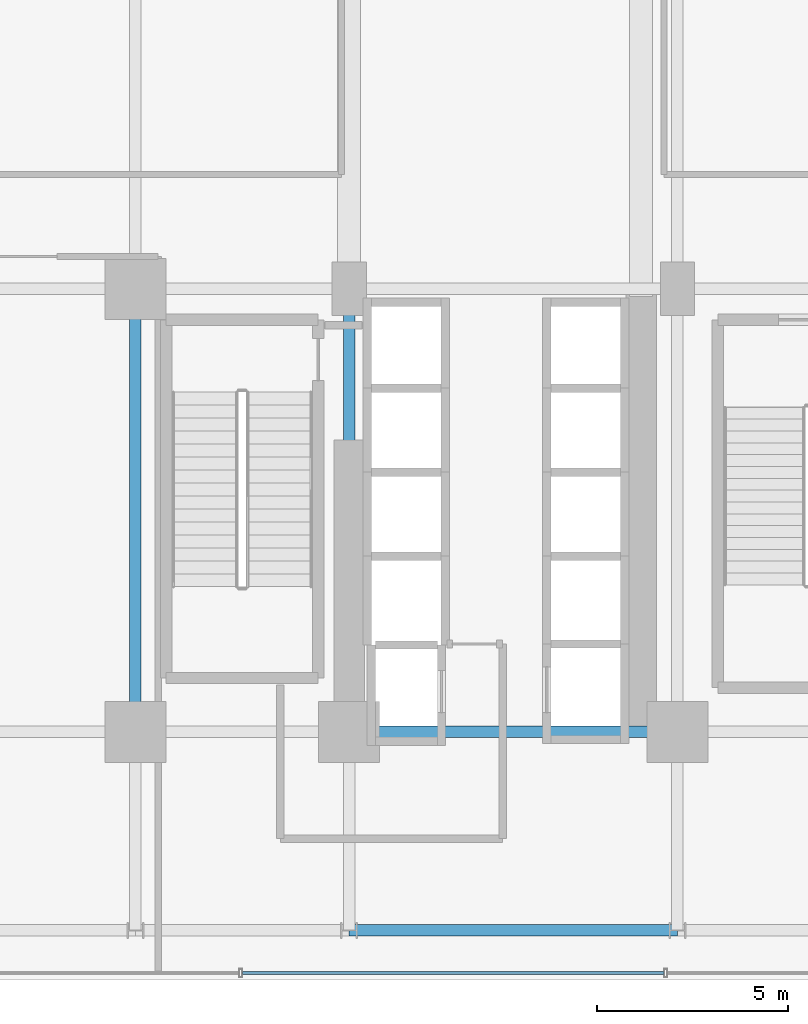
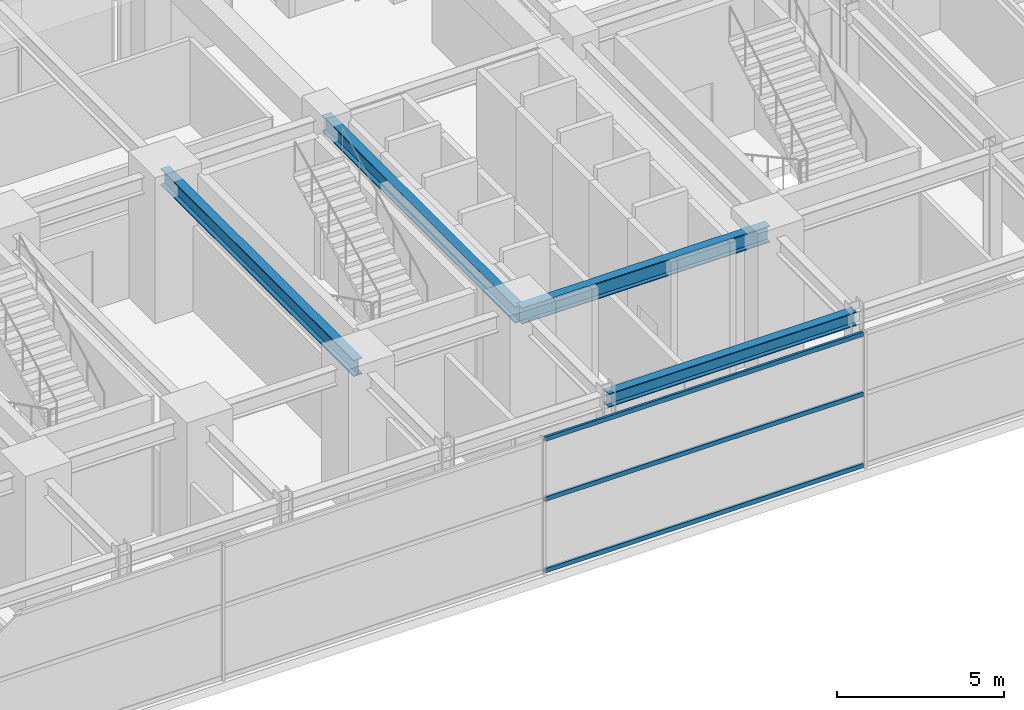
# One storey, part 13 of 35: 4 beams, 3 members, 1 element without a shape of its own.
"""IFC4 building model written with IfcOpenShell, lengths in metres."""

from ifc_helpers import new_model, si_unit, direction, frame, origin, origin_2d, place, context, subcontext, project, spatial, hollow_rectangle, i_section, extrude, source, transform, mapped, material, material_profile, profile_set, type_object, element, aggregate, save


model = new_model("IFC4")

# Units and contexts
model_context = context("Model", 3, precision=1e-05, world=origin(), true_north=direction((0.0, 1.0)))
body_context = subcontext(model_context, "Body", "Model", "MODEL_VIEW")
ifc_project = project(units=[si_unit("LENGTHUNIT", "METRE"), si_unit("AREAUNIT", "SQUARE_METRE"), si_unit("VOLUMEUNIT", "CUBIC_METRE"), si_unit("PLANEANGLEUNIT", "RADIAN"), si_unit("MASSUNIT", "GRAM", prefix="KILO")], contexts=[model_context])

# Site, building, storey
site_placement = place(None, origin())
site = spatial("IfcSite", under=ifc_project, at=site_placement, CompositionType="ELEMENT")
building_placement = place(site_placement, origin())
building = spatial("IfcBuilding", under=site, at=building_placement, Name="Nahalor Promenade Grand Hotel", CompositionType="ELEMENT")
storey_placement = place(building_placement, frame((0.0, 0.0, 21.60009765625)))
storey = spatial("IfcBuildingStorey", under=building, at=storey_placement, Name="L04", CompositionType="ELEMENT", Elevation=21.60009765625)

# Beams
ifc_material_1 = material(Name="Steel S355JR", Category="steel")
ifc_material_profile_1 = material_profile(ifc_material_1, i_section(OverallWidth=0.3, OverallDepth=0.6, WebThickness=0.0155, FlangeThickness=0.03, at=origin_2d()), Name="HEB 600")
ifc_profile_set_1 = profile_set([ifc_material_profile_1], Name="Steel S355JR")
beam_type_1 = type_object("IfcBeamType", Name="Beam-Girder-HEB600", PredefinedType="BEAM", material=ifc_profile_set_1)
shared_shape_1 = source(origin(), body_context, "Body", "SweptSolid", [
    extrude(i_section(OverallWidth=0.3, OverallDepth=0.6, WebThickness=0.0155, FlangeThickness=0.03, at=origin_2d()), origin(), (0.0, 0.0, 1.0), 8.60009765625),
])
beam_1_placement = place(storey_placement, frame((8.39990234375, -17.0, 4.679931640625), z_axis=(1.0, 0.0, 0.0), x_axis=(0.0, 1.0, 0.0)))
element("IfcBeam", 1, at=beam_1_placement, inside=storey, type_object=beam_type_1, Name="BM-L04-GX-0-6", PredefinedType="BEAM", context=body_context, shape_type="MappedRepresentation", body=[
    mapped(shared_shape_1, transform((0.0, 0.0, 0.0), scale=1.0)),
])
shared_shape_2 = source(origin(), body_context, "Body", "SweptSolid", [
    extrude(i_section(OverallWidth=0.3, OverallDepth=0.6, WebThickness=0.0155, FlangeThickness=0.03, at=origin_2d()), origin(), (0.0, 0.0, 1.0), 11.60009765625),
])
for number, where, z_axis, x_axis, name in (
    (2, (2.800048828125, -17.0, 4.679931640625), (0.0, 1.0, 0.0), (-1.0, 0.0, 0.0), "BM-L04-GY-3-1"),
    (3, (8.39990234375, -17.0, 4.679931640625), (0.0, 1.0, 0.0), (-1.0, 0.0, 0.0), "BM-L04-GY-4-1"),
):
    element("IfcBeam", number, at=place(storey_placement, frame(where, z_axis=z_axis, x_axis=x_axis)), inside=storey, type_object=beam_type_1, Name=name, PredefinedType="BEAM", context=body_context, shape_type="MappedRepresentation", body=[
        mapped(shared_shape_2, transform((0.0, 0.0, 0.0), scale=1.0)),
    ])
ifc_material_profile_2 = material_profile(ifc_material_1, i_section(OverallWidth=0.3, OverallDepth=0.5, WebThickness=0.0145, FlangeThickness=0.028, at=origin_2d()), Name="HEB 500")
ifc_profile_set_2 = profile_set([ifc_material_profile_2], Name="Steel S355JR")
beam_type_2 = type_object("IfcBeamType", Name="Beam-Spandrel-HEB500", PredefinedType="SPANDREL", material=ifc_profile_set_2)
shared_shape_3 = source(origin(), body_context, "Body", "SweptSolid", [
    extrude(i_section(OverallWidth=0.3, OverallDepth=0.5, WebThickness=0.0145, FlangeThickness=0.028, at=origin_2d()), origin(), (0.0, 0.0, 1.0), 8.60009765625),
])
beam_2_placement = place(storey_placement, frame((8.39990234375, -22.199951171875, 4.72998046875), z_axis=(1.0, 0.0, 0.0), x_axis=(0.0, 1.0, 0.0)))
element("IfcBeam", 4, at=beam_2_placement, inside=storey, type_object=beam_type_2, Name="BM-L04-SP-S-4", PredefinedType="SPANDREL", context=body_context, shape_type="MappedRepresentation", body=[
    mapped(shared_shape_3, transform((0.0, 0.0, 0.0), scale=1.0)),
])

# Curtain wall, members
ifc_material_2 = material(Name="Anodised Bronze Aluminium EN AW-6063 T6", Category="aluminium")
curtain_wall_type = type_object("IfcCurtainWallType", Name="CW1 Waterfront Podium Bronze Arcade Curtain Wall", PredefinedType="USERDEFINED", material=ifc_material_2)
curtain_wall_placement = place(storey_placement, origin())
curtain_wall = element("IfcCurtainWall", 5, at=curtain_wall_placement, inside=storey, type_object=curtain_wall_type, Name="L04 Curtain Wall CW-L04-S", ObjectType="UNITISED_CURTAIN_WALL", PredefinedType="USERDEFINED")
ifc_material_profile_3 = material_profile(ifc_material_2, hollow_rectangle(XDim=0.08, YDim=0.16, WallThickness=0.004, at=origin_2d()), Name="CWT 80x160x4")
ifc_profile_set_3 = profile_set([ifc_material_profile_3], Name="Anodised Bronze Aluminium EN AW-6063 T6")
member_type = type_object("IfcMemberType", Name="CWT1 Podium Bronze Transom 80x160", PredefinedType="USERDEFINED", material=ifc_profile_set_3)
shared_shape_4 = source(origin(), body_context, "Body", "SweptSolid", [
    extrude(hollow_rectangle(XDim=0.08, YDim=0.16, WallThickness=0.004, at=origin_2d()), origin(), (0.0, 0.0, 1.0), 11.048095703125),
])
member_1_placement = place(storey_placement, frame((5.60400390625, -23.320068359375, 0.079833984375), z_axis=(1.0, 0.0, 0.0), x_axis=(0.0, 1.0, 0.0)))
member_1 = element("IfcMember", 6, at=member_1_placement, type_object=member_type, Name="CW-L04-S Transom 3-0", ObjectType="TRANSOM", PredefinedType="USERDEFINED", context=body_context, shape_type="MappedRepresentation", body=[
    mapped(shared_shape_4, transform((0.0, 0.0, 0.0), scale=1.0)),
])
member_2_placement = place(storey_placement, frame((5.60400390625, -23.320068359375, 2.699951171875), z_axis=(1.0, 0.0, 0.0), x_axis=(0.0, 1.0, 0.0)))
member_2 = element("IfcMember", 7, at=member_2_placement, type_object=member_type, Name="CW-L04-S Transom 3-1", ObjectType="TRANSOM", PredefinedType="USERDEFINED", context=body_context, shape_type="MappedRepresentation", body=[
    mapped(shared_shape_4, transform((0.0, 0.0, 0.0), scale=1.0)),
])
member_3_placement = place(storey_placement, frame((5.60400390625, -23.320068359375, 4.89990234375), z_axis=(1.0, 0.0, 0.0), x_axis=(0.0, 1.0, 0.0)))
member_3 = element("IfcMember", 8, at=member_3_placement, type_object=member_type, Name="CW-L04-S Transom 3-2", ObjectType="TRANSOM", PredefinedType="USERDEFINED", context=body_context, shape_type="MappedRepresentation", body=[
    mapped(shared_shape_4, transform((0.0, 0.0, 0.0), scale=1.0)),
])
aggregate(curtain_wall, [member_1, member_2, member_3])

save(model, "model.ifc")
